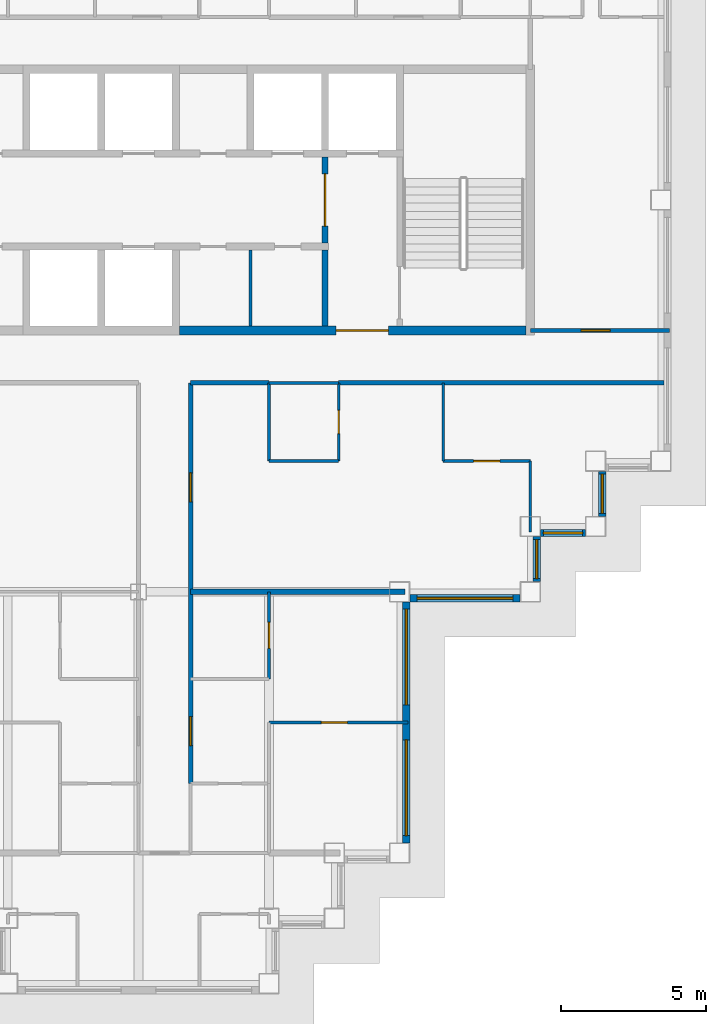
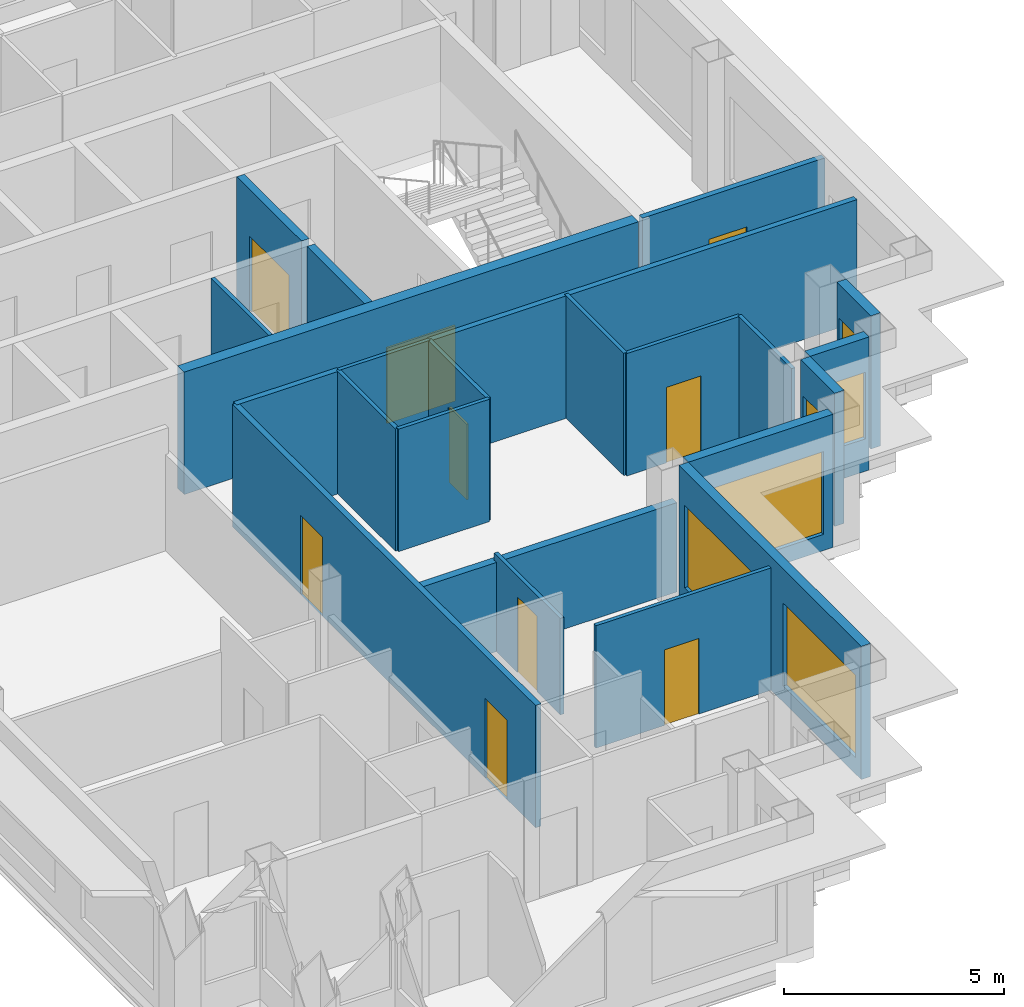
# One storey, part 5 of 12: 23 walls, 9 doors, 6 windows, 15 openings.
"""IFC4 building model written with IfcOpenShell, lengths in metres."""

from ifc_helpers import new_model, si_unit, direction, frame, frame_2d, origin, place, context, subcontext, project, spatial, rectangle, extrude, material, layer, layer_set, type_object, element, fill, save


model = new_model("IFC4")

# Units and contexts
model_context = context("Model", 3, precision=1e-05, world=origin(), true_north=direction((0.0, 1.0)))
body_context = subcontext(model_context, "Body", "Model", "MODEL_VIEW")
ifc_project = project(units=[si_unit("LENGTHUNIT", "METRE"), si_unit("AREAUNIT", "SQUARE_METRE"), si_unit("VOLUMEUNIT", "CUBIC_METRE"), si_unit("PLANEANGLEUNIT", "RADIAN"), si_unit("MASSUNIT", "GRAM", prefix="KILO")], contexts=[model_context])

# Site, building, storey
site_placement = place(None, origin())
site = spatial("IfcSite", under=ifc_project, at=site_placement, CompositionType="ELEMENT")
building_placement = place(site_placement, origin())
building = spatial("IfcBuilding", under=site, at=building_placement, Name="Caravel Reach Hotel and Residences", CompositionType="ELEMENT")
storey_placement = place(building_placement, frame((0.0, 0.0, 199.800048828125)))
storey = spatial("IfcBuildingStorey", under=building, at=storey_placement, Name="L50", CompositionType="ELEMENT", Elevation=199.800048828125)

# Walls
ifc_material_1 = material(Name="Gypsum board on steel stud", Category="steel")
ifc_layer_1 = layer(ifc_material_1, 0.10009765625)
ifc_layer_set_1 = layer_set([ifc_layer_1], Name="Bathroom pod wall 100 mm")
wall_type_1 = type_object("IfcWallType", Name="Bathroom pod wall 100 mm", PredefinedType="PARTITIONING", material=ifc_layer_set_1)
for number, where, z_axis, x_axis, name in (
    (1, (36.0, 18.0, 0.0), (0.0, 0.0, 1.0), (1.0, 0.0, 0.0), "L50 wall w077"),
    (2, (36.0, 20.699951171875, 0.0), (0.0, 0.0, 1.0), (1.0, 0.0, 0.0), "L50 wall w079"),
):
    element("IfcWall", number, at=place(storey_placement, frame(where, z_axis=z_axis, x_axis=x_axis)), inside=storey, type_object=wall_type_1, Name=name, PredefinedType="PARTITIONING", context=body_context, shape_type="SweptSolid", body=[
        extrude(rectangle(XDim=2.39990234375, YDim=0.10009765625, at=frame_2d((1.199951171875, 0.0))), origin(), (0.0, 0.0, 1.0), 3.39990234375),
    ])
wall_1_placement = place(storey_placement, frame((36.0, 18.0, 0.0), z_axis=(0.0, 0.0, 1.0), x_axis=(0.0, 1.0, 0.0)))
element("IfcWall", 3, at=wall_1_placement, inside=storey, type_object=wall_type_1, Name="L50 wall w101", PredefinedType="PARTITIONING", context=body_context, shape_type="SweptSolid", body=[
    extrude(rectangle(XDim=2.698974609375, YDim=0.10009765625, at=frame_2d((1.349609375, 0.0))), origin(), (0.0, 0.0, 1.0), 3.39990234375),
])

# Wall, opening, door
wall_2_placement = place(storey_placement, frame((38.39990234375, 18.0, 0.0), z_axis=(0.0, 0.0, 1.0), x_axis=(0.0, 1.0, 0.0)))
wall_2 = element("IfcWall", 4, at=wall_2_placement, inside=storey, type_object=wall_type_1, Name="L50 wall w102", PredefinedType="PARTITIONING", context=body_context, shape_type="SweptSolid", body=[
    extrude(rectangle(XDim=2.699951171875, YDim=0.10009765625, at=frame_2d((1.35009765625, 0.0))), origin(), (0.0, 0.0, 1.0), 3.39990234375),
])
opening_1_placement = place(wall_2_placement, frame((0.949951171875, 0.0, 0.0)))
opening_1 = element("IfcOpeningElement", 5, at=opening_1_placement, cuts=wall_2, Name="Opening D50-033", PredefinedType="OPENING", context=body_context, shape_type="SweptSolid", body=[
    extrude(rectangle(XDim=0.800048828125, YDim=2.10009765625, at=frame_2d((0.39990234375, 1.050048828125))), frame((0.0, 0.06005859375, 0.0), z_axis=(0.0, -1.0, 0.0), x_axis=(1.0, 0.0, 0.0)), (0.0, 0.0, 1.0), 0.1201171875),
])
ifc_material_2 = material(Name="Timber and steel door leaf", Category="steel")
door_type_1 = type_object("IfcDoorType", Name="Bathroom door 800 x 2100", OperationType="SINGLE_SWING_LEFT", PredefinedType="DOOR", material=ifc_material_2)
door_1_placement = place(opening_1_placement, origin())
door_1 = element("IfcDoor", 6, at=door_1_placement, inside=storey, type_object=door_type_1, Name="door D50-033", OperationType="SINGLE_SWING_RIGHT", OverallHeight=2.10009765625, OverallWidth=0.800048828125, PredefinedType="DOOR", context=body_context, shape_type="SweptSolid", body=[
    extrude(rectangle(XDim=0.800048828125, YDim=2.10009765625, at=frame_2d((0.39990234375, 1.050048828125))), frame((0.0, 0.02490234375, 0.0), z_axis=(0.0, -1.0, 0.0), x_axis=(1.0, 0.0, 0.0)), (0.0, 0.0, 1.0), 0.050048828125),
])
fill(opening_1, door_1)

# Wall
ifc_material_3 = material(Name="Autoclaved aerated block wall")
ifc_layer_2 = layer(ifc_material_3, 0.199951171875)
ifc_layer_set_2 = layer_set([ifc_layer_2], Name="Compartment wall 200 mm EI 120")
wall_type_2 = type_object("IfcWallType", Name="Compartment wall 200 mm EI 120", PredefinedType="PARTITIONING", material=ifc_layer_set_2)
wall_3_placement = place(storey_placement, frame((37.928466796875, 22.64990234375, 0.0), z_axis=(0.0, 0.0, 1.0), x_axis=(0.0, 1.0, 0.0)))
element("IfcWall", 7, at=wall_3_placement, inside=storey, type_object=wall_type_2, Name="L50 store partition", PredefinedType="PARTITIONING", context=body_context, shape_type="SweptSolid", body=[
    extrude(rectangle(XDim=2.625, YDim=0.199951171875, at=frame_2d((1.3125, 0.0))), origin(), (0.0, 0.0, 1.0), 3.39990234375),
])

# Wall, opening, door
ifc_material_4 = material(Name="Concrete C60", Category="concrete")
ifc_layer_3 = layer(ifc_material_4, 0.300048828125)
ifc_layer_set_3 = layer_set([ifc_layer_3], Name="Core wall 300 mm EI 120")
wall_type_3 = type_object("IfcWallType", Name="Core wall 300 mm EI 120", PredefinedType="SHEAR", material=ifc_layer_set_3)
wall_4_placement = place(storey_placement, frame((32.91064453125, 22.5, 0.0), z_axis=(0.0, 0.0, 1.0), x_axis=(1.0, 0.0, 0.0)))
wall_4 = element("IfcWall", 8, at=wall_4_placement, inside=storey, type_object=wall_type_3, Name="L50 core wall S3", PredefinedType="SHEAR", context=body_context, shape_type="SweptSolid", body=[
    extrude(rectangle(XDim=11.939453125, YDim=0.300048828125, at=frame_2d((5.9697265625, 0.0))), origin(), (0.0, 0.0, 1.0), 3.39990234375),
])
opening_2_placement = place(wall_4_placement, frame((5.403564453125, 0.0, 0.0)))
opening_2 = element("IfcOpeningElement", 9, at=opening_2_placement, cuts=wall_4, Name="Opening D50-016", PredefinedType="OPENING", context=body_context, shape_type="SweptSolid", body=[
    extrude(rectangle(XDim=1.800048828125, YDim=2.10009765625, at=frame_2d((0.89990234375, 1.050048828125))), frame((0.0, 0.159912109375, 0.0), z_axis=(0.0, -1.0, 0.0), x_axis=(1.0, 0.0, 0.0)), (0.0, 0.0, 1.0), 0.320068359375),
])
ifc_material_5 = material(Name="Steel fire door leaf", Category="steel")
door_type_2 = type_object("IfcDoorType", Name="Fire lobby door pair 1800 x 2100 EI 90", OperationType="DOUBLE_DOOR_SINGLE_SWING", PredefinedType="DOOR", material=ifc_material_5)
door_2_placement = place(opening_2_placement, origin())
door_2 = element("IfcDoor", 10, at=door_2_placement, inside=storey, type_object=door_type_2, Name="lobby S door pair to corridor", OperationType="DOUBLE_DOOR_SINGLE_SWING", OverallHeight=2.10009765625, OverallWidth=1.800048828125, PredefinedType="DOOR", context=body_context, shape_type="SweptSolid", body=[
    extrude(rectangle(XDim=1.800048828125, YDim=2.10009765625, at=frame_2d((0.89990234375, 1.050048828125))), frame((0.0, 0.02490234375, 0.0), z_axis=(0.0, -1.0, 0.0), x_axis=(1.0, 0.0, 0.0)), (0.0, 0.0, 1.0), 0.050048828125),
])
fill(opening_2, door_2)

# Walls
ifc_material_6 = material(Name="Gypsum board on steel stud, fire-rated", Category="steel")
ifc_layer_4 = layer(ifc_material_6, 0.14990234375)
ifc_layer_set_4 = layer_set([ifc_layer_4], Name="Corridor wall 150 mm EI 60")
wall_type_4 = type_object("IfcWallType", Name="Corridor wall 150 mm EI 60", PredefinedType="PARTITIONING", material=ifc_layer_set_4)
wall_5_placement = place(storey_placement, frame((33.301025390625, 20.699951171875, 0.0), z_axis=(0.0, 0.0, 1.0), x_axis=(1.0, 0.0, 0.0)))
element("IfcWall", 11, at=wall_5_placement, inside=storey, type_object=wall_type_4, Name="L50 wall w001", PredefinedType="PARTITIONING", context=body_context, shape_type="SweptSolid", body=[
    extrude(rectangle(XDim=2.697998046875, YDim=0.14990234375, at=frame_2d((1.34912109375, 0.0))), origin(), (0.0, 0.0, 1.0), 3.39990234375),
])
wall_6_placement = place(storey_placement, frame((38.39990234375, 20.699951171875, 0.0), z_axis=(0.0, 0.0, 1.0), x_axis=(1.0, 0.0, 0.0)))
element("IfcWall", 12, at=wall_6_placement, inside=storey, type_object=wall_type_4, Name="L50 wall w002", PredefinedType="PARTITIONING", context=body_context, shape_type="SweptSolid", body=[
    extrude(rectangle(XDim=11.2001953125, YDim=0.14990234375, at=frame_2d((5.60009765625, 0.0))), origin(), (0.0, 0.0, 1.0), 3.39990234375),
])

# Wall, opening, door
wall_7_placement = place(storey_placement, frame((45.0, 22.5, 0.0), z_axis=(0.0, 0.0, 1.0), x_axis=(1.0, 0.0, 0.0)))
wall_7 = element("IfcWall", 13, at=wall_7_placement, inside=storey, type_object=wall_type_4, Name="L50 wall w006", PredefinedType="PARTITIONING", context=body_context, shape_type="SweptSolid", body=[
    extrude(rectangle(XDim=4.7900390625, YDim=0.14990234375, at=frame_2d((2.39501953125, 0.0))), origin(), (0.0, 0.0, 1.0), 3.39990234375),
])
opening_3_placement = place(wall_7_placement, frame((1.75, 0.0, 0.0)))
opening_3 = element("IfcOpeningElement", 14, at=opening_3_placement, cuts=wall_7, Name="Opening D50-046", PredefinedType="OPENING", context=body_context, shape_type="SweptSolid", body=[
    extrude(rectangle(XDim=1.0, YDim=2.199951171875, at=frame_2d((0.5, 1.10009765625))), frame((0.0, 0.0849609375, 0.0), z_axis=(0.0, -1.0, 0.0), x_axis=(1.0, 0.0, 0.0)), (0.0, 0.0, 1.0), 0.169921875),
])
ifc_material_7 = material(Name="Steel fire door leaf", Category="steel")
door_type_3 = type_object("IfcDoorType", Name="Flat entrance door 1000 x 2200 EI 60", OperationType="SINGLE_SWING_LEFT", PredefinedType="DOOR", material=ifc_material_7)
door_3_placement = place(opening_3_placement, origin())
door_3 = element("IfcDoor", 15, at=door_3_placement, inside=storey, type_object=door_type_3, Name="door D50-046", OperationType="SINGLE_SWING_RIGHT", OverallHeight=2.199951171875, OverallWidth=1.0, PredefinedType="DOOR", context=body_context, shape_type="SweptSolid", body=[
    extrude(rectangle(XDim=1.0, YDim=2.199951171875, at=frame_2d((0.5, 1.10009765625))), frame((0.0, 0.02490234375, 0.0), z_axis=(0.0, -1.0, 0.0), x_axis=(1.0, 0.0, 0.0)), (0.0, 0.0, 1.0), 0.050048828125),
])
fill(opening_3, door_3)

# Wall, openings, doors
wall_8_placement = place(storey_placement, frame((33.300048828125, 6.89990234375, 0.0), z_axis=(0.0, 0.0, 1.0), x_axis=(0.0, 1.0, 0.0)))
wall_8 = element("IfcWall", 16, at=wall_8_placement, inside=storey, type_object=wall_type_4, Name="L50 wall w023", PredefinedType="PARTITIONING", context=body_context, shape_type="SweptSolid", body=[
    extrude(rectangle(XDim=13.799072265625, YDim=0.14990234375, at=frame_2d((6.8994140625, 0.0))), origin(), (0.0, 0.0, 1.0), 3.39990234375),
])
opening_4_placement = place(wall_8_placement, frame((9.69921875, 0.0, 0.0)))
opening_4 = element("IfcOpeningElement", 17, at=opening_4_placement, cuts=wall_8, Name="Opening D50-032", PredefinedType="OPENING", context=body_context, shape_type="SweptSolid", body=[
    extrude(rectangle(XDim=1.0, YDim=2.199951171875, at=frame_2d((0.5, 1.10009765625))), frame((0.0, 0.0849609375, 0.0), z_axis=(0.0, -1.0, 0.0), x_axis=(1.0, 0.0, 0.0)), (0.0, 0.0, 1.0), 0.169921875),
])
opening_5_placement = place(wall_8_placement, frame((1.300048828125, 0.0, 0.0)))
opening_5 = element("IfcOpeningElement", 18, at=opening_5_placement, cuts=wall_8, Name="Opening D50-039", PredefinedType="OPENING", context=body_context, shape_type="SweptSolid", body=[
    extrude(rectangle(XDim=1.0, YDim=2.199951171875, at=frame_2d((0.5, 1.10009765625))), frame((0.0, 0.0849609375, 0.0), z_axis=(0.0, -1.0, 0.0), x_axis=(1.0, 0.0, 0.0)), (0.0, 0.0, 1.0), 0.169921875),
])
door_4_placement = place(opening_4_placement, origin())
door_4 = element("IfcDoor", 19, at=door_4_placement, inside=storey, type_object=door_type_3, Name="door D50-032", OperationType="SINGLE_SWING_RIGHT", OverallHeight=2.199951171875, OverallWidth=1.0, PredefinedType="DOOR", context=body_context, shape_type="SweptSolid", body=[
    extrude(rectangle(XDim=1.0, YDim=2.199951171875, at=frame_2d((0.5, 1.10009765625))), frame((0.0, 0.02490234375, 0.0), z_axis=(0.0, -1.0, 0.0), x_axis=(1.0, 0.0, 0.0)), (0.0, 0.0, 1.0), 0.050048828125),
])
fill(opening_4, door_4)
door_5_placement = place(opening_5_placement, origin())
door_5 = element("IfcDoor", 20, at=door_5_placement, inside=storey, type_object=door_type_3, Name="door D50-039", OperationType="SINGLE_SWING_RIGHT", OverallHeight=2.199951171875, OverallWidth=1.0, PredefinedType="DOOR", context=body_context, shape_type="SweptSolid", body=[
    extrude(rectangle(XDim=1.0, YDim=2.199951171875, at=frame_2d((0.5, 1.10009765625))), frame((0.0, 0.02490234375, 0.0), z_axis=(0.0, -1.0, 0.0), x_axis=(1.0, 0.0, 0.0)), (0.0, 0.0, 1.0), 0.050048828125),
])
fill(opening_5, door_5)

# Wall, opening, window
ifc_material_8 = material(Name="Insulated rainscreen wall, aluminium cladding", Category="aluminium")
ifc_layer_5 = layer(ifc_material_8, 0.25)
ifc_layer_set_5 = layer_set([ifc_layer_5], Name="EW1 Tower rainscreen wall")
wall_type_5 = type_object("IfcWallType", Name="EW1 Tower rainscreen wall", PredefinedType="SOLIDWALL", material=ifc_layer_set_5)
wall_9_placement = place(storey_placement, frame((40.85009765625, 13.27490234375, 0.0), z_axis=(0.0, 0.0, 1.0), x_axis=(1.0, 0.0, 0.0)))
wall_9 = element("IfcWall", 21, at=wall_9_placement, inside=storey, type_object=wall_type_5, Name="External wall L50 S1.1", PredefinedType="SOLIDWALL", context=body_context, shape_type="SweptSolid", body=[
    extrude(rectangle(XDim=3.7998046875, YDim=0.25, at=frame_2d((1.89990234375, 0.0))), origin(), (0.0, 0.0, 1.0), 3.699951171875),
])
opening_6_placement = place(wall_9_placement, frame((0.25, 0.0, 0.449951171875)))
opening_6 = element("IfcOpeningElement", 22, at=opening_6_placement, cuts=wall_9, Name="Opening WN15", PredefinedType="OPENING", context=body_context, shape_type="SweptSolid", body=[
    extrude(rectangle(XDim=3.300048828125, YDim=2.300048828125, at=frame_2d((1.64990234375, 1.14990234375))), frame((0.0, 0.135009765625, 0.0), z_axis=(0.0, -1.0, 0.0), x_axis=(1.0, 0.0, 0.0)), (0.0, 0.0, 1.0), 0.27001953125),
])
ifc_material_9 = material(Name="Dark low-e glazing in black aluminium frame", Category="aluminium")
window_type_1 = type_object("IfcWindowType", Name="Residence living window 3300 x 2300", PartitioningType="SINGLE_PANEL", PredefinedType="WINDOW", material=ifc_material_9)
window_1_placement = place(opening_6_placement, origin())
window_1 = element("IfcWindow", 23, at=window_1_placement, inside=storey, type_object=window_type_1, Name="Window L50 S1.1.1", OverallHeight=2.300048828125, OverallWidth=3.300048828125, PartitioningType="SINGLE_PANEL", PredefinedType="WINDOW", context=body_context, shape_type="SweptSolid", body=[
    extrude(rectangle(XDim=3.300048828125, YDim=2.300048828125, at=frame_2d((1.64990234375, 1.14990234375))), frame((0.0, 0.030029296875, 0.0), z_axis=(0.0, -1.0, 0.0), x_axis=(1.0, 0.0, 0.0)), (0.0, 0.0, 1.0), 0.06005859375),
])
fill(opening_6, window_1)

wall_10_placement = place(storey_placement, frame((45.22509765625, 13.85009765625, 0.0), z_axis=(0.0, 0.0, 1.0), x_axis=(0.0, 1.0, 0.0)))
wall_10 = element("IfcWall", 24, at=wall_10_placement, inside=storey, type_object=wall_type_5, Name="External wall L50 E2.1", PredefinedType="SOLIDWALL", context=body_context, shape_type="SweptSolid", body=[
    extrude(rectangle(XDim=1.5498046875, YDim=0.25, at=frame_2d((0.77490234375, 0.0))), origin(), (0.0, 0.0, 1.0), 3.699951171875),
])
opening_7_placement = place(wall_10_placement, frame((0.10009765625, 0.0, 0.89990234375)))
opening_7 = element("IfcOpeningElement", 25, at=opening_7_placement, cuts=wall_10, Name="Opening WN21", PredefinedType="OPENING", context=body_context, shape_type="SweptSolid", body=[
    extrude(rectangle(XDim=1.35009765625, YDim=1.85009765625, at=frame_2d((0.675048828125, 0.925048828125))), frame((0.0, 0.135009765625, 0.0), z_axis=(0.0, -1.0, 0.0), x_axis=(1.0, 0.0, 0.0)), (0.0, 0.0, 1.0), 0.27001953125),
])
ifc_material_10 = material(Name="Dark low-e glazing in black aluminium frame", Category="aluminium")
window_type_2 = type_object("IfcWindowType", Name="Residence bedroom window 1350 x 1850", PartitioningType="SINGLE_PANEL", PredefinedType="WINDOW", material=ifc_material_10)
window_2_placement = place(opening_7_placement, origin())
window_2 = element("IfcWindow", 26, at=window_2_placement, inside=storey, type_object=window_type_2, Name="Window L50 E2.1.1", OverallHeight=1.85009765625, OverallWidth=1.35009765625, PartitioningType="SINGLE_PANEL", PredefinedType="WINDOW", context=body_context, shape_type="SweptSolid", body=[
    extrude(rectangle(XDim=1.35009765625, YDim=1.85009765625, at=frame_2d((0.675048828125, 0.925048828125))), frame((0.0, 0.030029296875, 0.0), z_axis=(0.0, -1.0, 0.0), x_axis=(1.0, 0.0, 0.0)), (0.0, 0.0, 1.0), 0.06005859375),
])
fill(opening_7, window_2)

wall_11_placement = place(storey_placement, frame((45.35009765625, 15.52490234375, 0.0), z_axis=(0.0, 0.0, 1.0), x_axis=(1.0, 0.0, 0.0)))
wall_11 = element("IfcWall", 27, at=wall_11_placement, inside=storey, type_object=wall_type_5, Name="External wall L50 S3.1", PredefinedType="SOLIDWALL", context=body_context, shape_type="SweptSolid", body=[
    extrude(rectangle(XDim=1.5498046875, YDim=0.25, at=frame_2d((0.77490234375, 0.0))), origin(), (0.0, 0.0, 1.0), 3.699951171875),
])
opening_8_placement = place(wall_11_placement, frame((0.10009765625, 0.0, 0.89990234375)))
opening_8 = element("IfcOpeningElement", 28, at=opening_8_placement, cuts=wall_11, Name="Opening WN21", PredefinedType="OPENING", context=body_context, shape_type="SweptSolid", body=[
    extrude(rectangle(XDim=1.35009765625, YDim=1.85009765625, at=frame_2d((0.675048828125, 0.925048828125))), frame((0.0, 0.135009765625, 0.0), z_axis=(0.0, -1.0, 0.0), x_axis=(1.0, 0.0, 0.0)), (0.0, 0.0, 1.0), 0.27001953125),
])
window_3_placement = place(opening_8_placement, origin())
window_3 = element("IfcWindow", 29, at=window_3_placement, inside=storey, type_object=window_type_2, Name="Window L50 S3.1.1", OverallHeight=1.85009765625, OverallWidth=1.35009765625, PartitioningType="SINGLE_PANEL", PredefinedType="WINDOW", context=body_context, shape_type="SweptSolid", body=[
    extrude(rectangle(XDim=1.35009765625, YDim=1.85009765625, at=frame_2d((0.675048828125, 0.925048828125))), frame((0.0, 0.030029296875, 0.0), z_axis=(0.0, -1.0, 0.0), x_axis=(1.0, 0.0, 0.0)), (0.0, 0.0, 1.0), 0.06005859375),
])
fill(opening_8, window_3)

wall_12_placement = place(storey_placement, frame((47.47509765625, 16.10009765625, 0.0), z_axis=(0.0, 0.0, 1.0), x_axis=(0.0, 1.0, 0.0)))
wall_12 = element("IfcWall", 30, at=wall_12_placement, inside=storey, type_object=wall_type_5, Name="External wall L50 E4.1", PredefinedType="SOLIDWALL", context=body_context, shape_type="SweptSolid", body=[
    extrude(rectangle(XDim=1.5498046875, YDim=0.25, at=frame_2d((0.77490234375, 0.0))), origin(), (0.0, 0.0, 1.0), 3.699951171875),
])
opening_9_placement = place(wall_12_placement, frame((0.10009765625, 0.0, 0.89990234375)))
opening_9 = element("IfcOpeningElement", 31, at=opening_9_placement, cuts=wall_12, Name="Opening WN21", PredefinedType="OPENING", context=body_context, shape_type="SweptSolid", body=[
    extrude(rectangle(XDim=1.35009765625, YDim=1.85009765625, at=frame_2d((0.675048828125, 0.925048828125))), frame((0.0, 0.135009765625, 0.0), z_axis=(0.0, -1.0, 0.0), x_axis=(1.0, 0.0, 0.0)), (0.0, 0.0, 1.0), 0.27001953125),
])
window_4_placement = place(opening_9_placement, origin())
window_4 = element("IfcWindow", 32, at=window_4_placement, inside=storey, type_object=window_type_2, Name="Window L50 E4.1.1", OverallHeight=1.85009765625, OverallWidth=1.35009765625, PartitioningType="SINGLE_PANEL", PredefinedType="WINDOW", context=body_context, shape_type="SweptSolid", body=[
    extrude(rectangle(XDim=1.35009765625, YDim=1.85009765625, at=frame_2d((0.675048828125, 0.925048828125))), frame((0.0, 0.030029296875, 0.0), z_axis=(0.0, -1.0, 0.0), x_axis=(1.0, 0.0, 0.0)), (0.0, 0.0, 1.0), 0.06005859375),
])
fill(opening_9, window_4)

# Wall, openings, windows
wall_13_placement = place(storey_placement, frame((40.72509765625, 4.85009765625, 0.0), z_axis=(0.0, 0.0, 1.0), x_axis=(0.0, 1.0, 0.0)))
wall_13 = element("IfcWall", 33, at=wall_13_placement, inside=storey, type_object=wall_type_5, Name="External wall L50 E40.1", PredefinedType="SOLIDWALL", context=body_context, shape_type="SweptSolid", body=[
    extrude(rectangle(XDim=8.2998046875, YDim=0.25, at=frame_2d((4.14990234375, 0.0))), origin(), (0.0, 0.0, 1.0), 3.699951171875),
])
opening_10_placement = place(wall_13_placement, frame((0.25, 0.0, 0.449951171875)))
opening_10 = element("IfcOpeningElement", 34, at=opening_10_placement, cuts=wall_13, Name="Opening WN15", PredefinedType="OPENING", context=body_context, shape_type="SweptSolid", body=[
    extrude(rectangle(XDim=3.300048828125, YDim=2.300048828125, at=frame_2d((1.64990234375, 1.14990234375))), frame((0.0, 0.135009765625, 0.0), z_axis=(0.0, -1.0, 0.0), x_axis=(1.0, 0.0, 0.0)), (0.0, 0.0, 1.0), 0.27001953125),
])
opening_11_placement = place(wall_13_placement, frame((4.75, 0.0, 0.449951171875)))
opening_11 = element("IfcOpeningElement", 35, at=opening_11_placement, cuts=wall_13, Name="Opening WN15", PredefinedType="OPENING", context=body_context, shape_type="SweptSolid", body=[
    extrude(rectangle(XDim=3.300048828125, YDim=2.300048828125, at=frame_2d((1.64990234375, 1.14990234375))), frame((0.0, 0.135009765625, 0.0), z_axis=(0.0, -1.0, 0.0), x_axis=(1.0, 0.0, 0.0)), (0.0, 0.0, 1.0), 0.27001953125),
])
window_5_placement = place(opening_10_placement, origin())
window_5 = element("IfcWindow", 36, at=window_5_placement, inside=storey, type_object=window_type_1, Name="Window L50 E40.1.1", OverallHeight=2.300048828125, OverallWidth=3.300048828125, PartitioningType="SINGLE_PANEL", PredefinedType="WINDOW", context=body_context, shape_type="SweptSolid", body=[
    extrude(rectangle(XDim=3.300048828125, YDim=2.300048828125, at=frame_2d((1.64990234375, 1.14990234375))), frame((0.0, 0.030029296875, 0.0), z_axis=(0.0, -1.0, 0.0), x_axis=(1.0, 0.0, 0.0)), (0.0, 0.0, 1.0), 0.06005859375),
])
fill(opening_10, window_5)
window_6_placement = place(opening_11_placement, origin())
window_6 = element("IfcWindow", 37, at=window_6_placement, inside=storey, type_object=window_type_1, Name="Window L50 E40.1.2", OverallHeight=2.300048828125, OverallWidth=3.300048828125, PartitioningType="SINGLE_PANEL", PredefinedType="WINDOW", context=body_context, shape_type="SweptSolid", body=[
    extrude(rectangle(XDim=3.300048828125, YDim=2.300048828125, at=frame_2d((1.64990234375, 1.14990234375))), frame((0.0, 0.030029296875, 0.0), z_axis=(0.0, -1.0, 0.0), x_axis=(1.0, 0.0, 0.0)), (0.0, 0.0, 1.0), 0.06005859375),
])
fill(opening_11, window_6)

# Wall, opening, door
ifc_material_11 = material(Name="Autoclaved aerated block wall")
ifc_layer_6 = layer(ifc_material_11, 0.199951171875)
ifc_layer_set_6 = layer_set([ifc_layer_6], Name="Fire lobby wall 200 mm EI 120")
wall_type_6 = type_object("IfcWallType", Name="Fire lobby wall 200 mm EI 120", PredefinedType="PARTITIONING", material=ifc_layer_set_6)
wall_14_placement = place(storey_placement, frame((37.928466796875, 25.52490234375, 0.0), z_axis=(0.0, 0.0, 1.0), x_axis=(0.0, 1.0, 0.0)))
wall_14 = element("IfcWall", 38, at=wall_14_placement, inside=storey, type_object=wall_type_6, Name="L50 lobby E wall", PredefinedType="PARTITIONING", context=body_context, shape_type="SweptSolid", body=[
    extrude(rectangle(XDim=2.9501953125, YDim=0.199951171875, at=frame_2d((1.47509765625, 0.0))), origin(), (0.0, 0.0, 1.0), 3.39990234375),
])
opening_12_placement = place(wall_14_placement, frame((0.574951171875, 0.0, 0.0)))
opening_12 = element("IfcOpeningElement", 39, at=opening_12_placement, cuts=wall_14, Name="Opening D50-014", PredefinedType="OPENING", context=body_context, shape_type="SweptSolid", body=[
    extrude(rectangle(XDim=1.800048828125, YDim=2.10009765625, at=frame_2d((0.89990234375, 1.050048828125))), frame((0.0, 0.10986328125, 0.0), z_axis=(0.0, -1.0, 0.0), x_axis=(1.0, 0.0, 0.0)), (0.0, 0.0, 1.0), 0.219970703125),
])
door_6_placement = place(opening_12_placement, origin())
door_6 = element("IfcDoor", 40, at=door_6_placement, inside=storey, type_object=door_type_2, Name="lobby E door pair", OperationType="DOUBLE_DOOR_SINGLE_SWING", OverallHeight=2.10009765625, OverallWidth=1.800048828125, PredefinedType="DOOR", context=body_context, shape_type="SweptSolid", body=[
    extrude(rectangle(XDim=1.800048828125, YDim=2.10009765625, at=frame_2d((0.89990234375, 1.050048828125))), frame((0.0, 0.02490234375, 0.0), z_axis=(0.0, -1.0, 0.0), x_axis=(1.0, 0.0, 0.0)), (0.0, 0.0, 1.0), 0.050048828125),
])
fill(opening_12, door_6)

# Wall
ifc_material_12 = material(Name="Gypsum board on steel stud", Category="steel")
ifc_layer_7 = layer(ifc_material_12, 0.10009765625)
ifc_layer_set_7 = layer_set([ifc_layer_7], Name="Partition 100 mm")
wall_type_7 = type_object("IfcWallType", Name="Partition 100 mm", PredefinedType="PARTITIONING", material=ifc_layer_set_7)
wall_15_placement = place(storey_placement, frame((35.357177734375, 22.64990234375, 0.0), z_axis=(0.0, 0.0, 1.0), x_axis=(0.0, 1.0, 0.0)))
element("IfcWall", 41, at=wall_15_placement, inside=storey, type_object=wall_type_7, Name="L50 store partition", PredefinedType="PARTITIONING", context=body_context, shape_type="SweptSolid", body=[
    extrude(rectangle(XDim=2.625, YDim=0.10009765625, at=frame_2d((1.3125, 0.0))), origin(), (0.0, 0.0, 1.0), 3.39990234375),
])

# Wall, opening, door
wall_16_placement = place(storey_placement, frame((42.0, 18.0, 0.0), z_axis=(0.0, 0.0, 1.0), x_axis=(1.0, 0.0, 0.0)))
wall_16 = element("IfcWall", 42, at=wall_16_placement, inside=storey, type_object=wall_type_7, Name="L50 wall w032", PredefinedType="PARTITIONING", context=body_context, shape_type="SweptSolid", body=[
    extrude(rectangle(XDim=3.0, YDim=0.10009765625, at=frame_2d((1.5, 0.0))), origin(), (0.0, 0.0, 1.0), 3.39990234375),
])
opening_13_placement = place(wall_16_placement, frame((1.050048828125, 0.0, 0.0)))
opening_13 = element("IfcOpeningElement", 43, at=opening_13_placement, cuts=wall_16, Name="Opening D50-034", PredefinedType="OPENING", context=body_context, shape_type="SweptSolid", body=[
    extrude(rectangle(XDim=0.89990234375, YDim=2.10009765625, at=frame_2d((0.449951171875, 1.050048828125))), frame((0.0, 0.06005859375, 0.0), z_axis=(0.0, -1.0, 0.0), x_axis=(1.0, 0.0, 0.0)), (0.0, 0.0, 1.0), 0.1201171875),
])
ifc_material_13 = material(Name="Timber and steel door leaf", Category="steel")
door_type_4 = type_object("IfcDoorType", Name="Door 900 x 2100 timber", OperationType="SINGLE_SWING_LEFT", PredefinedType="DOOR", material=ifc_material_13)
door_7_placement = place(opening_13_placement, origin())
door_7 = element("IfcDoor", 44, at=door_7_placement, inside=storey, type_object=door_type_4, Name="door D50-034", OperationType="SINGLE_SWING_LEFT", OverallHeight=2.10009765625, OverallWidth=0.89990234375, PredefinedType="DOOR", context=body_context, shape_type="SweptSolid", body=[
    extrude(rectangle(XDim=0.89990234375, YDim=2.10009765625, at=frame_2d((0.449951171875, 1.050048828125))), frame((0.0, 0.02490234375, 0.0), z_axis=(0.0, -1.0, 0.0), x_axis=(1.0, 0.0, 0.0)), (0.0, 0.0, 1.0), 0.050048828125),
])
fill(opening_13, door_7)

wall_17_placement = place(storey_placement, frame((36.0, 9.0, 0.0), z_axis=(0.0, 0.0, 1.0), x_axis=(1.0, 0.0, 0.0)))
wall_17 = element("IfcWall", 45, at=wall_17_placement, inside=storey, type_object=wall_type_7, Name="L50 wall w045", PredefinedType="PARTITIONING", context=body_context, shape_type="SweptSolid", body=[
    extrude(rectangle(XDim=4.7900390625, YDim=0.10009765625, at=frame_2d((2.39501953125, 0.0))), origin(), (0.0, 0.0, 1.0), 3.39990234375),
])
opening_14_placement = place(wall_17_placement, frame((1.800048828125, 0.0, 0.0)))
opening_14 = element("IfcOpeningElement", 46, at=opening_14_placement, cuts=wall_17, Name="Opening D50-042", PredefinedType="OPENING", context=body_context, shape_type="SweptSolid", body=[
    extrude(rectangle(XDim=0.89990234375, YDim=2.10009765625, at=frame_2d((0.449951171875, 1.050048828125))), frame((0.0, 0.06005859375, 0.0), z_axis=(0.0, -1.0, 0.0), x_axis=(1.0, 0.0, 0.0)), (0.0, 0.0, 1.0), 0.1201171875),
])
door_8_placement = place(opening_14_placement, origin())
door_8 = element("IfcDoor", 47, at=door_8_placement, inside=storey, type_object=door_type_4, Name="door D50-042", OperationType="SINGLE_SWING_LEFT", OverallHeight=2.10009765625, OverallWidth=0.89990234375, PredefinedType="DOOR", context=body_context, shape_type="SweptSolid", body=[
    extrude(rectangle(XDim=0.89990234375, YDim=2.10009765625, at=frame_2d((0.449951171875, 1.050048828125))), frame((0.0, 0.02490234375, 0.0), z_axis=(0.0, -1.0, 0.0), x_axis=(1.0, 0.0, 0.0)), (0.0, 0.0, 1.0), 0.050048828125),
])
fill(opening_14, door_8)

wall_18_placement = place(storey_placement, frame((36.0, 10.5, 0.0), z_axis=(0.0, 0.0, 1.0), x_axis=(0.0, 1.0, 0.0)))
wall_18 = element("IfcWall", 48, at=wall_18_placement, inside=storey, type_object=wall_type_7, Name="L50 wall w061", PredefinedType="PARTITIONING", context=body_context, shape_type="SweptSolid", body=[
    extrude(rectangle(XDim=3.0, YDim=0.10009765625, at=frame_2d((1.5, 0.0))), origin(), (0.0, 0.0, 1.0), 2.679931640625),
])
opening_15_placement = place(wall_18_placement, frame((1.050048828125, 0.0, 0.0)))
opening_15 = element("IfcOpeningElement", 49, at=opening_15_placement, cuts=wall_18, Name="Opening D50-041", PredefinedType="OPENING", context=body_context, shape_type="SweptSolid", body=[
    extrude(rectangle(XDim=0.89990234375, YDim=2.10009765625, at=frame_2d((0.449951171875, 1.050048828125))), frame((0.0, 0.06005859375, 0.0), z_axis=(0.0, -1.0, 0.0), x_axis=(1.0, 0.0, 0.0)), (0.0, 0.0, 1.0), 0.1201171875),
])
door_9_placement = place(opening_15_placement, origin())
door_9 = element("IfcDoor", 50, at=door_9_placement, inside=storey, type_object=door_type_4, Name="door D50-041", OperationType="SINGLE_SWING_LEFT", OverallHeight=2.10009765625, OverallWidth=0.89990234375, PredefinedType="DOOR", context=body_context, shape_type="SweptSolid", body=[
    extrude(rectangle(XDim=0.89990234375, YDim=2.10009765625, at=frame_2d((0.449951171875, 1.050048828125))), frame((0.0, 0.02490234375, 0.0), z_axis=(0.0, -1.0, 0.0), x_axis=(1.0, 0.0, 0.0)), (0.0, 0.0, 1.0), 0.050048828125),
])
fill(opening_15, door_9)

# Walls
wall_19_placement = place(storey_placement, frame((42.0, 18.0, 0.0), z_axis=(0.0, 0.0, 1.0), x_axis=(0.0, 1.0, 0.0)))
element("IfcWall", 51, at=wall_19_placement, inside=storey, type_object=wall_type_7, Name="L50 wall w066", PredefinedType="PARTITIONING", context=body_context, shape_type="SweptSolid", body=[
    extrude(rectangle(XDim=2.699951171875, YDim=0.10009765625, at=frame_2d((1.35009765625, 0.0))), origin(), (0.0, 0.0, 1.0), 3.39990234375),
])
wall_20_placement = place(storey_placement, frame((45.0, 15.56005859375, 0.0), z_axis=(0.0, 0.0, 1.0), x_axis=(0.0, 1.0, 0.0)))
element("IfcWall", 52, at=wall_20_placement, inside=storey, type_object=wall_type_7, Name="L50 wall w067", PredefinedType="PARTITIONING", context=body_context, shape_type="SweptSolid", body=[
    extrude(rectangle(XDim=2.43994140625, YDim=0.10009765625, at=frame_2d((1.219970703125, 0.0))), origin(), (0.0, 0.0, 1.0), 3.39990234375),
])
ifc_material_14 = material(Name="Autoclaved aerated block wall")
ifc_layer_8 = layer(ifc_material_14, 0.199951171875)
ifc_layer_set_8 = layer_set([ifc_layer_8], Name="Party wall 200 mm EI 60")
wall_type_8 = type_object("IfcWallType", Name="Party wall 200 mm EI 60", PredefinedType="PARTITIONING", material=ifc_layer_set_8)
wall_21_placement = place(storey_placement, frame((33.301025390625, 13.5, 0.0), z_axis=(0.0, 0.0, 1.0), x_axis=(1.0, 0.0, 0.0)))
element("IfcWall", 53, at=wall_21_placement, inside=storey, type_object=wall_type_8, Name="L50 wall w071", PredefinedType="PARTITIONING", context=body_context, shape_type="SweptSolid", body=[
    extrude(rectangle(XDim=7.388916015625, YDim=0.199951171875, at=frame_2d((3.6943359375, 0.0))), origin(), (0.0, 0.0, 1.0), 2.47998046875),
])

save(model, "model.ifc")
